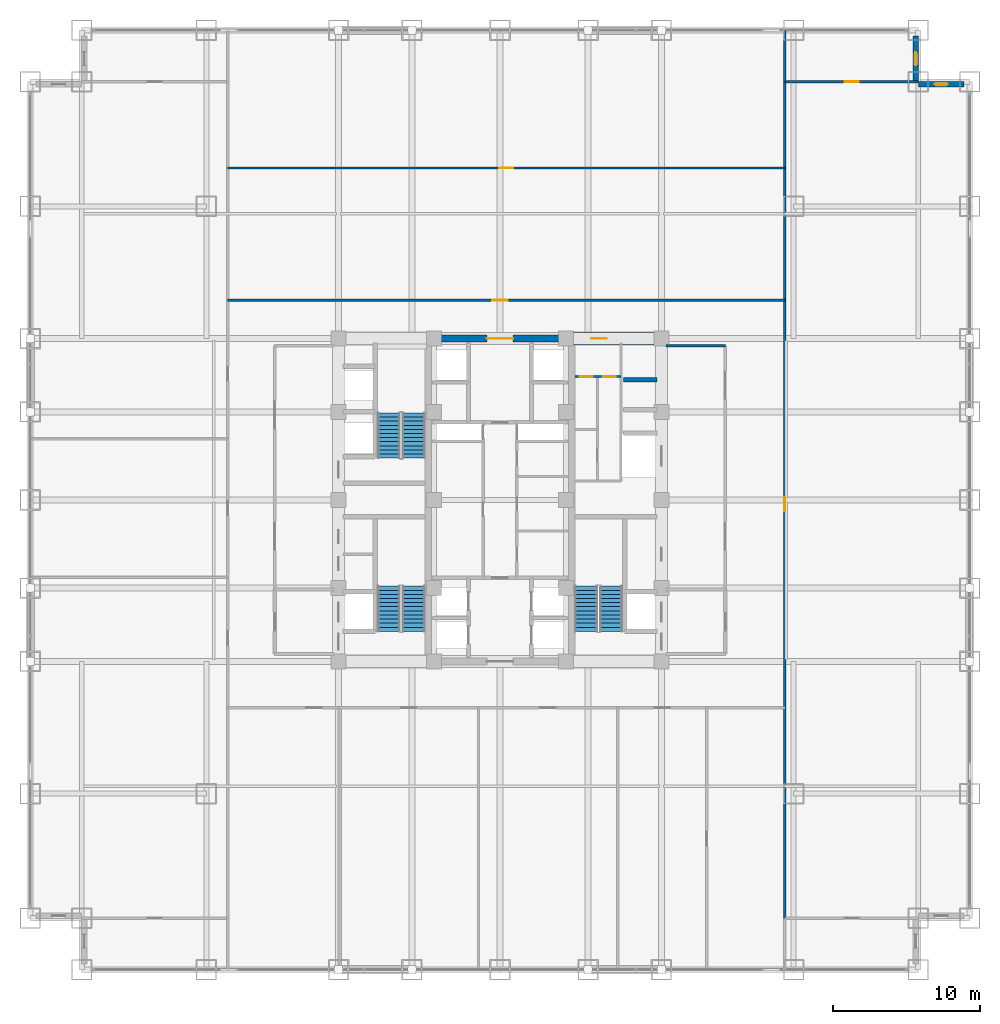
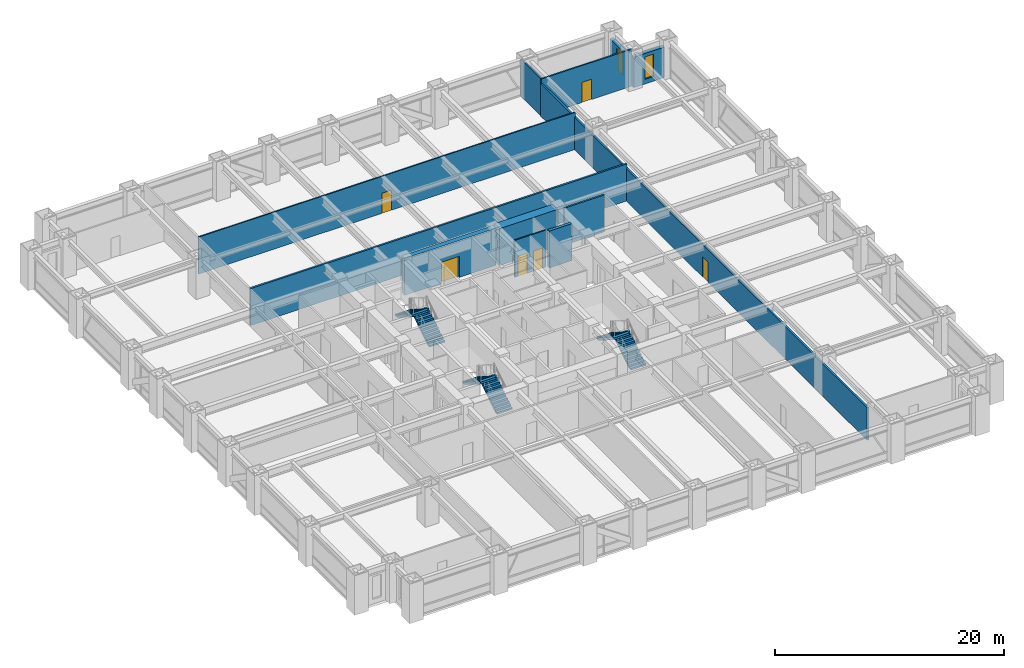
# One storey, part 26 of 27: 12 walls, 8 doors, 6 stair flights, 2 windows, 10 openings, 3 elements without a shape of their own.
"""IFC4 building model written with IfcOpenShell, lengths in metres."""

from ifc_helpers import new_model, si_unit, direction, frame, frame_2d, origin, place, context, subcontext, project, spatial, polyline, rectangle, outline, extrude, source, transform, mapped, material, layer, layer_set, type_object, element, fill, aggregate, save


model = new_model("IFC4")

# Units and contexts
model_context = context("Model", 3, precision=1e-05, world=origin(), true_north=direction((0.0, 1.0)))
body_context = subcontext(model_context, "Body", "Model", "MODEL_VIEW")
ifc_project = project(units=[si_unit("LENGTHUNIT", "METRE"), si_unit("AREAUNIT", "SQUARE_METRE"), si_unit("VOLUMEUNIT", "CUBIC_METRE"), si_unit("PLANEANGLEUNIT", "RADIAN"), si_unit("MASSUNIT", "GRAM", prefix="KILO")], contexts=[model_context])

# Site, building, storey
site_placement = place(None, origin())
site = spatial("IfcSite", under=ifc_project, at=site_placement, CompositionType="ELEMENT")
building_placement = place(site_placement, origin())
building = spatial("IfcBuilding", under=site, at=building_placement, Name="Khorayat Bourse Tower", CompositionType="ELEMENT")
storey_placement = place(building_placement, frame((0.0, 0.0, 45.199951171875)))
storey = spatial("IfcBuildingStorey", under=building, at=storey_placement, Name="L09", CompositionType="ELEMENT", Elevation=45.199951171875)

# Wall, opening, door
ifc_material_1 = material(Name="Concrete C72/90", Category="concrete")
ifc_layer_1 = layer(ifc_material_1, 0.89990234375)
ifc_layer_set_1 = layer_set([ifc_layer_1], Name="Concrete C72/90")
wall_type_1 = type_object("IfcWallType", Name="WAL-CORE-900", PredefinedType="SHEAR", material=ifc_layer_set_1)
shared_shape_1 = source(origin(), body_context, "Body", "SweptSolid", [
    extrude(rectangle(XDim=5.849853515625, YDim=0.89990234375, at=frame_2d((2.9248046875, 0.0))), origin(), (0.0, 0.0, 1.0), 3.93994140625),
])
wall_1_placement = place(storey_placement, frame((4.85009765625, 11.0, 0.0), z_axis=(0.0, 0.0, 1.0), x_axis=(1.0, 0.0, 0.0)))
wall_1 = element("IfcWall", 1, at=wall_1_placement, inside=storey, type_object=wall_type_1, Name="L09 Core Shear Wall PIER-EN", PredefinedType="SHEAR", context=body_context, shape_type="MappedRepresentation", body=[
    mapped(shared_shape_1, transform((0.0, 0.0, 0.0), scale=1.0)),
])
shared_shape_2 = source(origin(), body_context, "Body", "SweptSolid", [
    extrude(rectangle(XDim=1.050048828125, YDim=2.199951171875, at=frame_2d((0.52490234375, 1.10009765625))), frame((0.0, 0.4599609375, 0.0), z_axis=(0.0, -1.0, 0.0), x_axis=(1.0, 0.0, 0.0)), (0.0, 0.0, 1.0), 0.919921875),
])
opening_1_placement = place(wall_1_placement, frame((1.375, 0.0, 0.0)))
opening_1 = element("IfcOpeningElement", 2, at=opening_1_placement, cuts=wall_1, Name="Opening DI-04", PredefinedType="OPENING", context=body_context, shape_type="MappedRepresentation", body=[
    mapped(shared_shape_2, transform((0.0, 0.0, 0.0), scale=1.0)),
])
ifc_material_2 = material(Name="Fire-rated oak veneer suite entrance door")
door_type_1 = type_object("IfcDoorType", Name="DR-INT-SUITE-1050", OperationType="NOTDEFINED", PredefinedType="DOOR", material=ifc_material_2)
shared_shape_3 = source(origin(), body_context, "Body", "SweptSolid", [
    extrude(rectangle(XDim=1.050048828125, YDim=2.199951171875, at=frame_2d((0.52490234375, 1.10009765625))), frame((0.0, 0.02490234375, 0.0), z_axis=(0.0, -1.0, 0.0), x_axis=(1.0, 0.0, 0.0)), (0.0, 0.0, 1.0), 0.050048828125),
])
door_1_placement = place(opening_1_placement, origin())
door_1 = element("IfcDoor", 3, at=door_1_placement, inside=storey, type_object=door_type_1, Name="L09 Core Washroom Lobby Door", OperationType="SINGLE_SWING_LEFT", OverallHeight=2.199951171875, OverallWidth=1.050048828125, PredefinedType="DOOR", context=body_context, shape_type="MappedRepresentation", body=[
    mapped(shared_shape_3, transform((0.0, 0.0, 0.0), scale=1.0)),
])
fill(opening_1, door_1)

ifc_material_3 = material(Name="Concrete C52/65", Category="concrete")
ifc_layer_2 = layer(ifc_material_3, 0.5)
ifc_layer_set_2 = layer_set([ifc_layer_2], Name="Concrete C52/65")
wall_type_2 = type_object("IfcWallType", Name="WAL-CORE-500", PredefinedType="SHEAR", material=ifc_layer_set_2)
shared_shape_4 = source(origin(), body_context, "Body", "SweptSolid", [
    extrude(rectangle(XDim=9.2001953125, YDim=0.5, at=frame_2d((4.60009765625, 0.0))), origin(), (0.0, 0.0, 1.0), 3.93994140625),
])
wall_2_placement = place(storey_placement, frame((-4.60009765625, 11.0, 0.0), z_axis=(0.0, 0.0, 1.0), x_axis=(1.0, 0.0, 0.0)))
wall_2 = element("IfcWall", 4, at=wall_2_placement, inside=storey, type_object=wall_type_2, Name="L09 Core Shear Wall CORE-N", PredefinedType="SHEAR", context=body_context, shape_type="MappedRepresentation", body=[
    mapped(shared_shape_4, transform((0.0, 0.0, 0.0), scale=1.0)),
])
shared_shape_5 = source(origin(), body_context, "Body", "SweptSolid", [
    extrude(rectangle(XDim=1.800048828125, YDim=2.25, at=frame_2d((0.89990234375, 1.125))), frame((0.0, 0.260009765625, 0.0), z_axis=(0.0, -1.0, 0.0), x_axis=(1.0, 0.0, 0.0)), (0.0, 0.0, 1.0), 0.52001953125),
])
opening_2_placement = place(wall_2_placement, frame((3.699951171875, 0.0, 0.0)))
opening_2 = element("IfcOpeningElement", 5, at=opening_2_placement, cuts=wall_2, Name="Opening DI-03", PredefinedType="OPENING", context=body_context, shape_type="MappedRepresentation", body=[
    mapped(shared_shape_5, transform((0.0, 0.0, 0.0), scale=1.0)),
])
ifc_material_4 = material(Name="Fire-rated hardwood vision-panel double leaf", Category="wood")
door_type_2 = type_object("IfcDoorType", Name="DR-INT-CORR-1800", OperationType="NOTDEFINED", PredefinedType="DOOR", material=ifc_material_4)
shared_shape_6 = source(origin(), body_context, "Body", "SweptSolid", [
    extrude(rectangle(XDim=1.800048828125, YDim=2.25, at=frame_2d((0.89990234375, 1.125))), frame((0.0, 0.02490234375, 0.0), z_axis=(0.0, -1.0, 0.0), x_axis=(1.0, 0.0, 0.0)), (0.0, 0.0, 1.0), 0.050048828125),
])
door_2_placement = place(opening_2_placement, origin())
door_2 = element("IfcDoor", 6, at=door_2_placement, inside=storey, type_object=door_type_2, Name="L09 Mid-Rise Lift Lobby Door", OperationType="SINGLE_SWING_RIGHT", OverallHeight=2.25, OverallWidth=1.800048828125, PredefinedType="DOOR", context=body_context, shape_type="MappedRepresentation", body=[
    mapped(shared_shape_6, transform((0.0, 0.0, 0.0), scale=1.0)),
])
fill(opening_2, door_2)

# Wall, opening, window
ifc_material_5 = material(Name="Precast concrete C45/55", Category="concrete")
ifc_layer_3 = layer(ifc_material_5, 0.3798828125)
ifc_layer_set_3 = layer_set([ifc_layer_3], Name="Precast concrete C45/55")
wall_type_3 = type_object("IfcWallType", Name="WAL-EXT-STONE-380", PredefinedType="STANDARD", material=ifc_layer_set_3)
shared_shape_7 = source(origin(), body_context, "Body", "SweptSolid", [
    extrude(rectangle(XDim=3.1201171875, YDim=0.3798828125, at=frame_2d((1.56005859375, 0.0))), origin(), (0.0, 0.0, 1.0), 3.2451171875),
])
wall_3_placement = place(storey_placement, frame((28.5, 28.31005859375, 0.0), z_axis=(0.0, 0.0, 1.0), x_axis=(1.0, 0.0, 0.0)))
wall_3 = element("IfcWall", 7, at=wall_3_placement, inside=storey, type_object=wall_type_3, Name="L09 Re-Entrant Notch Limestone Wall NE-H", PredefinedType="STANDARD", context=body_context, shape_type="MappedRepresentation", body=[
    mapped(shared_shape_7, transform((0.0, 0.0, 0.0), scale=1.0)),
])
shared_shape_8 = source(origin(), body_context, "Body", "SweptSolid", [
    extrude(rectangle(XDim=0.89990234375, YDim=2.39990234375, at=frame_2d((0.449951171875, 1.199951171875))), frame((0.0, 0.199951171875, 0.0), z_axis=(0.0, -1.0, 0.0), x_axis=(1.0, 0.0, 0.0)), (0.0, 0.0, 1.0), 0.39990234375),
])
opening_3_placement = place(wall_3_placement, frame((1.110107421875, 0.0, 0.5)))
opening_3 = element("IfcOpeningElement", 8, at=opening_3_placement, cuts=wall_3, Name="Opening WN-03", PredefinedType="OPENING", context=body_context, shape_type="MappedRepresentation", body=[
    mapped(shared_shape_8, transform((0.0, 0.0, 0.0), scale=1.0)),
])
ifc_material_6 = material(Name="Deep-reveal solar-control double glazing", Category="glass")
window_type = type_object("IfcWindowType", Name="WIN-SLOT-900x2400", PartitioningType="SINGLE_PANEL", PredefinedType="WINDOW", material=ifc_material_6)
shared_shape_9 = source(origin(), body_context, "Body", "SweptSolid", [
    extrude(rectangle(XDim=0.89990234375, YDim=2.39990234375, at=frame_2d((0.449951171875, 1.199951171875))), frame((0.0, 0.030029296875, 0.0), z_axis=(0.0, -1.0, 0.0), x_axis=(1.0, 0.0, 0.0)), (0.0, 0.0, 1.0), 0.06005859375),
])
window_1_placement = place(opening_3_placement, origin())
window_1 = element("IfcWindow", 9, at=window_1_placement, inside=storey, type_object=window_type, Name="L09 Facade Window 1", OverallHeight=2.39990234375, OverallWidth=0.89990234375, PartitioningType="SINGLE_PANEL", PredefinedType="WINDOW", context=body_context, shape_type="MappedRepresentation", body=[
    mapped(shared_shape_9, transform((0.0, 0.0, 0.0), scale=1.0)),
])
fill(opening_3, window_1)

wall_4_placement = place(storey_placement, frame((28.31005859375, 28.5, 0.0), z_axis=(0.0, 0.0, 1.0), x_axis=(0.0, 1.0, 0.0)))
wall_4 = element("IfcWall", 10, at=wall_4_placement, inside=storey, type_object=wall_type_3, Name="L09 Re-Entrant Notch Limestone Wall NE-V", PredefinedType="STANDARD", context=body_context, shape_type="MappedRepresentation", body=[
    mapped(shared_shape_7, transform((0.0, 0.0, 0.0), scale=1.0)),
])
opening_4_placement = place(wall_4_placement, frame((1.110107421875, 0.0, 0.5)))
opening_4 = element("IfcOpeningElement", 11, at=opening_4_placement, cuts=wall_4, Name="Opening WN-03", PredefinedType="OPENING", context=body_context, shape_type="MappedRepresentation", body=[
    mapped(shared_shape_8, transform((0.0, 0.0, 0.0), scale=1.0)),
])
window_2_placement = place(opening_4_placement, origin())
window_2 = element("IfcWindow", 12, at=window_2_placement, inside=storey, type_object=window_type, Name="L09 Facade Window 1", OverallHeight=2.39990234375, OverallWidth=0.89990234375, PartitioningType="SINGLE_PANEL", PredefinedType="WINDOW", context=body_context, shape_type="MappedRepresentation", body=[
    mapped(shared_shape_9, transform((0.0, 0.0, 0.0), scale=1.0)),
])
fill(opening_4, window_2)

# Wall
ifc_material_7 = material(Name="Concrete C50/60", Category="concrete")
ifc_layer_4 = layer(ifc_material_7, 0.300048828125)
ifc_layer_set_4 = layer_set([ifc_layer_4], Name="Concrete C50/60")
wall_type_4 = type_object("IfcWallType", Name="WAL-SHAFT-300", PredefinedType="SHEAR", material=ifc_layer_set_4)
shared_shape_10 = source(origin(), body_context, "Body", "SweptSolid", [
    extrude(rectangle(XDim=2.300048828125, YDim=0.300048828125, at=frame_2d((1.14990234375, 0.0))), origin(), (0.0, 0.0, 1.0), 3.93994140625),
])
wall_5_placement = place(storey_placement, frame((8.39990234375, 8.199951171875, 0.0), z_axis=(0.0, 0.0, 1.0), x_axis=(1.0, 0.0, 0.0)))
element("IfcWall", 13, at=wall_5_placement, inside=storey, type_object=wall_type_4, Name="L09 Partition WAL-L09-EPIER-H34", PredefinedType="SHEAR", context=body_context, shape_type="MappedRepresentation", body=[
    mapped(shared_shape_10, transform((0.0, 0.0, 0.0), scale=1.0)),
])

# Wall, openings, doors
ifc_material_8 = material(Name="Moisture-resistant masonry partition", Category="masonry")
ifc_layer_5 = layer(ifc_material_8, 0.139892578125)
ifc_layer_set_5 = layer_set([ifc_layer_5], Name="Moisture-resistant masonry partition")
wall_type_5 = type_object("IfcWallType", Name="WAL-PART-WET-140", PredefinedType="PARTITIONING", material=ifc_layer_set_5)
shared_shape_11 = source(origin(), body_context, "Body", "SweptSolid", [
    extrude(rectangle(XDim=3.14990234375, YDim=0.139892578125, at=frame_2d((1.574951171875, 0.0))), origin(), (0.0, 0.0, 1.0), 3.93994140625),
])
wall_6_placement = place(storey_placement, frame((5.10009765625, 8.39990234375, 0.0), z_axis=(0.0, 0.0, 1.0), x_axis=(1.0, 0.0, 0.0)))
wall_6 = element("IfcWall", 14, at=wall_6_placement, inside=storey, type_object=wall_type_5, Name="L09 Partition WAL-L09-ECW-TOP", PredefinedType="PARTITIONING", context=body_context, shape_type="MappedRepresentation", body=[
    mapped(shared_shape_11, transform((0.0, 0.0, 0.0), scale=1.0)),
])
shared_shape_12 = source(origin(), body_context, "Body", "SweptSolid", [
    extrude(rectangle(XDim=0.89990234375, YDim=2.14990234375, at=frame_2d((0.449951171875, 1.074951171875))), frame((0.0, 0.079833984375, 0.0), z_axis=(0.0, -1.0, 0.0), x_axis=(1.0, 0.0, 0.0)), (0.0, 0.0, 1.0), 0.159912109375),
])
opening_5_placement = place(wall_6_placement, frame((0.330078125, 0.0, 0.0)))
opening_5 = element("IfcOpeningElement", 15, at=opening_5_placement, cuts=wall_6, Name="Opening DI-06", PredefinedType="OPENING", context=body_context, shape_type="MappedRepresentation", body=[
    mapped(shared_shape_12, transform((0.0, 0.0, 0.0), scale=1.0)),
])
opening_6_placement = place(wall_6_placement, frame((1.89990234375, 0.0, 0.0)))
opening_6 = element("IfcOpeningElement", 16, at=opening_6_placement, cuts=wall_6, Name="Opening DI-06", PredefinedType="OPENING", context=body_context, shape_type="MappedRepresentation", body=[
    mapped(shared_shape_12, transform((0.0, 0.0, 0.0), scale=1.0)),
])
ifc_material_9 = material(Name="Moisture-resistant laminate washroom door")
door_type_3 = type_object("IfcDoorType", Name="DR-INT-WC-900", OperationType="NOTDEFINED", PredefinedType="DOOR", material=ifc_material_9)
shared_shape_13 = source(origin(), body_context, "Body", "SweptSolid", [
    extrude(rectangle(XDim=0.89990234375, YDim=2.14990234375, at=frame_2d((0.449951171875, 1.074951171875))), frame((0.0, 0.02490234375, 0.0), z_axis=(0.0, -1.0, 0.0), x_axis=(1.0, 0.0, 0.0)), (0.0, 0.0, 1.0), 0.050048828125),
])
door_3_placement = place(opening_5_placement, origin())
door_3 = element("IfcDoor", 17, at=door_3_placement, inside=storey, type_object=door_type_3, Name="L09 Accessible WC Door", OperationType="SINGLE_SWING_LEFT", OverallHeight=2.14990234375, OverallWidth=0.89990234375, PredefinedType="DOOR", context=body_context, shape_type="MappedRepresentation", body=[
    mapped(shared_shape_13, transform((0.0, 0.0, 0.0), scale=1.0)),
])
fill(opening_5, door_3)
door_4_placement = place(opening_6_placement, origin())
door_4 = element("IfcDoor", 18, at=door_4_placement, inside=storey, type_object=door_type_3, Name="L09 Shared Washroom Door", OperationType="SINGLE_SWING_RIGHT", OverallHeight=2.14990234375, OverallWidth=0.89990234375, PredefinedType="DOOR", context=body_context, shape_type="MappedRepresentation", body=[
    mapped(shared_shape_13, transform((0.0, 0.0, 0.0), scale=1.0)),
])
fill(opening_6, door_4)

# Walls
ifc_material_10 = material(Name="Gypsum plasterboard acoustic stud wall")
ifc_layer_6 = layer(ifc_material_10, 0.179931640625)
ifc_layer_set_6 = layer_set([ifc_layer_6], Name="Gypsum plasterboard acoustic stud wall")
wall_type_6 = type_object("IfcWallType", Name="WAL-PART-CORR-180", PredefinedType="PARTITIONING", material=ifc_layer_set_6)
shared_shape_14 = source(origin(), body_context, "Body", "SweptSolid", [
    extrude(rectangle(XDim=4.050048828125, YDim=0.179931640625, at=frame_2d((2.02490234375, 0.0))), origin(), (0.0, 0.0, 1.0), 3.93994140625),
])
wall_7_placement = place(storey_placement, frame((11.300048828125, 10.5, 0.0), z_axis=(0.0, 0.0, 1.0), x_axis=(1.0, 0.0, 0.0)))
element("IfcWall", 19, at=wall_7_placement, inside=storey, type_object=wall_type_6, Name="L09 Partition WAL-L09-ELOB-N", PredefinedType="PARTITIONING", context=body_context, shape_type="MappedRepresentation", body=[
    mapped(shared_shape_14, transform((0.0, 0.0, 0.0), scale=1.0)),
])
ifc_material_11 = material(Name="Gypsum plasterboard twin-frame partition")
ifc_layer_7 = layer(ifc_material_11, 0.14990234375)
ifc_layer_set_7 = layer_set([ifc_layer_7], Name="Gypsum plasterboard twin-frame partition")
wall_type_7 = type_object("IfcWallType", Name="WAL-PART-SUITE-150", PredefinedType="PARTITIONING", material=ifc_layer_set_7)
shared_shape_15 = source(origin(), body_context, "Body", "SweptSolid", [
    extrude(rectangle(XDim=3.5, YDim=0.14990234375, at=frame_2d((1.75, 0.0))), origin(), (0.0, 0.0, 1.0), 3.93994140625),
])
wall_8_placement = place(storey_placement, frame((19.39990234375, 28.5, 0.0), z_axis=(0.0, 0.0, 1.0), x_axis=(0.0, 1.0, 0.0)))
element("IfcWall", 20, at=wall_8_placement, inside=storey, type_object=wall_type_7, Name="L09 Partition WAL-L09-NCE-END", PredefinedType="PARTITIONING", context=body_context, shape_type="MappedRepresentation", body=[
    mapped(shared_shape_15, transform((0.0, 0.0, 0.0), scale=1.0)),
])

# Wall, opening, door
shared_shape_16 = source(origin(), body_context, "Body", "SweptSolid", [
    extrude(rectangle(XDim=37.949951171875, YDim=0.179931640625, at=frame_2d((18.97509765625, 0.0))), origin(), (0.0, 0.0, 1.0), 3.93994140625),
])
wall_9_placement = place(storey_placement, frame((-18.550048828125, 13.60009765625, 0.0), z_axis=(0.0, 0.0, 1.0), x_axis=(1.0, 0.0, 0.0)))
wall_9 = element("IfcWall", 21, at=wall_9_placement, inside=storey, type_object=wall_type_6, Name="L09 Partition WAL-L09-NCORR", PredefinedType="PARTITIONING", context=body_context, shape_type="MappedRepresentation", body=[
    mapped(shared_shape_16, transform((0.0, 0.0, 0.0), scale=1.0)),
])
shared_shape_17 = source(origin(), body_context, "Body", "SweptSolid", [
    extrude(rectangle(XDim=1.050048828125, YDim=2.199951171875, at=frame_2d((0.52490234375, 1.10009765625))), frame((0.0, 0.099853515625, 0.0), z_axis=(0.0, -1.0, 0.0), x_axis=(1.0, 0.0, 0.0)), (0.0, 0.0, 1.0), 0.199951171875),
])
opening_7_placement = place(wall_9_placement, frame((18.02490234375, 0.0, 0.0)))
opening_7 = element("IfcOpeningElement", 22, at=opening_7_placement, cuts=wall_9, Name="Opening DI-04", PredefinedType="OPENING", context=body_context, shape_type="MappedRepresentation", body=[
    mapped(shared_shape_17, transform((0.0, 0.0, 0.0), scale=1.0)),
])
door_5_placement = place(opening_7_placement, origin())
door_5 = element("IfcDoor", 23, at=door_5_placement, inside=storey, type_object=door_type_1, Name="L09 Members Exchange Lounge N1 Door", OperationType="SINGLE_SWING_RIGHT", OverallHeight=2.199951171875, OverallWidth=1.050048828125, PredefinedType="DOOR", context=body_context, shape_type="MappedRepresentation", body=[
    mapped(shared_shape_3, transform((0.0, 0.0, 0.0), scale=1.0)),
])
fill(opening_7, door_5)

ifc_material_12 = material(Name="Gypsum plasterboard partition")
ifc_layer_8 = layer(ifc_material_12, 0.125)
ifc_layer_set_8 = layer_set([ifc_layer_8], Name="Gypsum plasterboard partition")
wall_type_8 = type_object("IfcWallType", Name="WAL-PART-ROOM-125", PredefinedType="PARTITIONING", material=ifc_layer_set_8)
shared_shape_18 = source(origin(), body_context, "Body", "SweptSolid", [
    extrude(rectangle(XDim=37.949951171875, YDim=0.125, at=frame_2d((18.97509765625, 0.0))), origin(), (0.0, 0.0, 1.0), 3.93994140625),
])
wall_10_placement = place(storey_placement, frame((-18.550048828125, 22.615966796875, 0.0), z_axis=(0.0, 0.0, 1.0), x_axis=(1.0, 0.0, 0.0)))
wall_10 = element("IfcWall", 24, at=wall_10_placement, inside=storey, type_object=wall_type_8, Name="L09 Partition WAL-L09-NDP-1", PredefinedType="PARTITIONING", context=body_context, shape_type="MappedRepresentation", body=[
    mapped(shared_shape_18, transform((0.0, 0.0, 0.0), scale=1.0)),
])
shared_shape_19 = source(origin(), body_context, "Body", "SweptSolid", [
    extrude(rectangle(XDim=0.949951171875, YDim=2.14990234375, at=frame_2d((0.47509765625, 1.074951171875))), frame((0.0, 0.072509765625, 0.0), z_axis=(0.0, -1.0, 0.0), x_axis=(1.0, 0.0, 0.0)), (0.0, 0.0, 1.0), 0.14501953125),
])
opening_8_placement = place(wall_10_placement, frame((18.5, 0.0, 0.0)))
opening_8 = element("IfcOpeningElement", 25, at=opening_8_placement, cuts=wall_10, Name="Opening DI-05", PredefinedType="OPENING", context=body_context, shape_type="MappedRepresentation", body=[
    mapped(shared_shape_19, transform((0.0, 0.0, 0.0), scale=1.0)),
])
ifc_material_13 = material(Name="Acoustic oak veneer office door")
door_type_4 = type_object("IfcDoorType", Name="DR-INT-OFFICE-950", OperationType="NOTDEFINED", PredefinedType="DOOR", material=ifc_material_13)
shared_shape_20 = source(origin(), body_context, "Body", "SweptSolid", [
    extrude(rectangle(XDim=0.949951171875, YDim=2.14990234375, at=frame_2d((0.47509765625, 1.074951171875))), frame((0.0, 0.02490234375, 0.0), z_axis=(0.0, -1.0, 0.0), x_axis=(1.0, 0.0, 0.0)), (0.0, 0.0, 1.0), 0.050048828125),
])
door_6_placement = place(opening_8_placement, origin())
door_6 = element("IfcDoor", 26, at=door_6_placement, inside=storey, type_object=door_type_4, Name="L09 Staff Tea Pantry N1B Door", OperationType="SINGLE_SWING_RIGHT", OverallHeight=2.14990234375, OverallWidth=0.949951171875, PredefinedType="DOOR", context=body_context, shape_type="MappedRepresentation", body=[
    mapped(shared_shape_20, transform((0.0, 0.0, 0.0), scale=1.0)),
])
fill(opening_8, door_6)

shared_shape_21 = source(origin(), body_context, "Body", "SweptSolid", [
    extrude(rectangle(XDim=57.0, YDim=0.179931640625, at=frame_2d((28.5, 0.0))), origin(), (0.0, 0.0, 1.0), 3.470947265625),
])
wall_11_placement = place(storey_placement, frame((19.39990234375, -28.5, 0.0), z_axis=(0.0, 0.0, 1.0), x_axis=(0.0, 1.0, 0.0)))
wall_11 = element("IfcWall", 27, at=wall_11_placement, inside=storey, type_object=wall_type_6, Name="L09 Partition WAL-L09-ECORR", PredefinedType="PARTITIONING", context=body_context, shape_type="MappedRepresentation", body=[
    mapped(shared_shape_21, transform((0.0, 0.0, 0.0), scale=1.0)),
])
shared_shape_22 = source(origin(), body_context, "Body", "SweptSolid", [
    extrude(rectangle(XDim=0.949951171875, YDim=2.14990234375, at=frame_2d((0.47509765625, 1.074951171875))), frame((0.0, 0.099853515625, 0.0), z_axis=(0.0, -1.0, 0.0), x_axis=(1.0, 0.0, 0.0)), (0.0, 0.0, 1.0), 0.199951171875),
])
opening_9_placement = place(wall_11_placement, frame((27.75, 0.0, 0.0)))
opening_9 = element("IfcOpeningElement", 28, at=opening_9_placement, cuts=wall_11, Name="Opening DI-05", PredefinedType="OPENING", context=body_context, shape_type="MappedRepresentation", body=[
    mapped(shared_shape_22, transform((0.0, 0.0, 0.0), scale=1.0)),
])
door_7_placement = place(opening_9_placement, origin())
door_7 = element("IfcDoor", 29, at=door_7_placement, inside=storey, type_object=door_type_4, Name="L09 Executive Boardroom E1 Door", OperationType="SINGLE_SWING_RIGHT", OverallHeight=2.14990234375, OverallWidth=0.949951171875, PredefinedType="DOOR", context=body_context, shape_type="MappedRepresentation", body=[
    mapped(shared_shape_20, transform((0.0, 0.0, 0.0), scale=1.0)),
])
fill(opening_9, door_7)

shared_shape_23 = source(origin(), body_context, "Body", "SweptSolid", [
    extrude(rectangle(XDim=9.10009765625, YDim=0.14990234375, at=frame_2d((4.550048828125, 0.0))), origin(), (0.0, 0.0, 1.0), 3.93994140625),
])
wall_12_placement = place(storey_placement, frame((19.39990234375, 28.5, 0.0), z_axis=(0.0, 0.0, 1.0), x_axis=(1.0, 0.0, 0.0)))
wall_12 = element("IfcWall", 30, at=wall_12_placement, inside=storey, type_object=wall_type_7, Name="L09 Partition WAL-L09-CNE", PredefinedType="PARTITIONING", context=body_context, shape_type="MappedRepresentation", body=[
    mapped(shared_shape_23, transform((0.0, 0.0, 0.0), scale=1.0)),
])
shared_shape_24 = source(origin(), body_context, "Body", "SweptSolid", [
    extrude(rectangle(XDim=0.949951171875, YDim=2.14990234375, at=frame_2d((0.47509765625, 1.074951171875))), frame((0.0, 0.0849609375, 0.0), z_axis=(0.0, -1.0, 0.0), x_axis=(1.0, 0.0, 0.0)), (0.0, 0.0, 1.0), 0.169921875),
])
opening_10_placement = place(wall_12_placement, frame((4.074951171875, 0.0, 0.0)))
opening_10 = element("IfcOpeningElement", 31, at=opening_10_placement, cuts=wall_12, Name="Opening DI-05", PredefinedType="OPENING", context=body_context, shape_type="MappedRepresentation", body=[
    mapped(shared_shape_24, transform((0.0, 0.0, 0.0), scale=1.0)),
])
door_8_placement = place(opening_10_placement, origin())
door_8 = element("IfcDoor", 32, at=door_8_placement, inside=storey, type_object=door_type_4, Name="L09 North-East Corner Lounge Door", OperationType="SINGLE_SWING_LEFT", OverallHeight=2.14990234375, OverallWidth=0.949951171875, PredefinedType="DOOR", context=body_context, shape_type="MappedRepresentation", body=[
    mapped(shared_shape_20, transform((0.0, 0.0, 0.0), scale=1.0)),
])
fill(opening_10, door_8)

# Stair, stair flights
ifc_material_14 = material(Name="Concrete C40/50", Category="concrete")
stair_type = type_object("IfcStairType", Name="STR-CORE-1550", PredefinedType="HALF_TURN_STAIR", material=ifc_material_14)
stair_1_placement = place(storey_placement, origin())
stair_1 = element("IfcStair", 33, at=stair_1_placement, inside=storey, type_object=stair_type, Name="L09 Exit Stair ST-1", PredefinedType="HALF_TURN_STAIR")
stair_flight_type = type_object("IfcStairFlightType", Name="FLT-CORE-1550", PredefinedType="STRAIGHT", material=ifc_material_14)
shared_shape_25 = source(origin(), body_context, "Body", "SweptSolid", [
    extrude(outline(polyline([(0.0, 0.0), (0.0, 0.175048828125), (0.280029296875, 0.175048828125), (0.280029296875, 0.35009765625), (0.56005859375, 0.35009765625), (0.56005859375, 0.52490234375), (0.840087890625, 0.52490234375), (0.840087890625, 0.699951171875), (1.1201171875, 0.699951171875), (1.1201171875, 0.875), (1.39990234375, 0.875), (1.39990234375, 1.050048828125), (1.679931640625, 1.050048828125), (1.679931640625, 1.22509765625), (1.9599609375, 1.22509765625), (1.9599609375, 1.39990234375), (2.239990234375, 1.39990234375), (2.239990234375, 1.574951171875), (2.52001953125, 1.574951171875), (2.52001953125, 1.75), (2.800048828125, 1.75), (2.800048828125, 1.925048828125), (3.080078125, 1.925048828125), (3.080078125, 2.10009765625), (3.080078125, 1.712890625), (0.339599609375, 0.0), (0.0, 0.0)])), frame((0.0, 0.77490234375, 0.0), z_axis=(0.0, -1.0, 0.0), x_axis=(1.0, 0.0, 0.0)), (0.0, 0.0, 1.0), 1.550048828125),
])
stair_flight_1_placement = place(storey_placement, frame((-5.875, -8.949951171875, 0.0), z_axis=(0.0, 0.0, 1.0), x_axis=(0.0, 1.0, 0.0)))
stair_flight_1 = element("IfcStairFlight", 34, at=stair_flight_1_placement, type_object=stair_flight_type, Name="ST-1 flight 1", NumberOfRisers=12, NumberOfTreads=11, PredefinedType="STRAIGHT", RiserHeight=0.175, TreadLength=0.28, context=body_context, shape_type="MappedRepresentation", body=[
    mapped(shared_shape_25, transform((0.0, 0.0, 0.0), scale=1.0)),
])
stair_flight_2_placement = place(storey_placement, frame((-7.574951171875, -5.8701171875, 2.10009765625), z_axis=(0.0, 0.0, 1.0), x_axis=(0.0, -1.0, 0.0)))
stair_flight_2 = element("IfcStairFlight", 35, at=stair_flight_2_placement, type_object=stair_flight_type, Name="ST-1 flight 2", NumberOfRisers=12, NumberOfTreads=11, PredefinedType="STRAIGHT", RiserHeight=0.175, TreadLength=0.28, context=body_context, shape_type="MappedRepresentation", body=[
    mapped(shared_shape_25, transform((0.0, 0.0, 0.0), scale=1.0)),
])
aggregate(stair_1, [stair_flight_1, stair_flight_2])

stair_2_placement = place(storey_placement, origin())
stair_2 = element("IfcStair", 36, at=stair_2_placement, inside=storey, type_object=stair_type, Name="L09 Exit Stair ST-2", PredefinedType="HALF_TURN_STAIR")
stair_flight_3_placement = place(storey_placement, frame((-5.875, 2.85009765625, 0.0), z_axis=(0.0, 0.0, 1.0), x_axis=(0.0, 1.0, 0.0)))
stair_flight_3 = element("IfcStairFlight", 37, at=stair_flight_3_placement, type_object=stair_flight_type, Name="ST-2 flight 1", NumberOfRisers=12, NumberOfTreads=11, PredefinedType="STRAIGHT", RiserHeight=0.175, TreadLength=0.28, context=body_context, shape_type="MappedRepresentation", body=[
    mapped(shared_shape_25, transform((0.0, 0.0, 0.0), scale=1.0)),
])
stair_flight_4_placement = place(storey_placement, frame((-7.574951171875, 5.929931640625, 2.10009765625), z_axis=(0.0, 0.0, 1.0), x_axis=(0.0, -1.0, 0.0)))
stair_flight_4 = element("IfcStairFlight", 38, at=stair_flight_4_placement, type_object=stair_flight_type, Name="ST-2 flight 2", NumberOfRisers=12, NumberOfTreads=11, PredefinedType="STRAIGHT", RiserHeight=0.175, TreadLength=0.28, context=body_context, shape_type="MappedRepresentation", body=[
    mapped(shared_shape_25, transform((0.0, 0.0, 0.0), scale=1.0)),
])
aggregate(stair_2, [stair_flight_3, stair_flight_4])

stair_3_placement = place(storey_placement, origin())
stair_3 = element("IfcStair", 39, at=stair_3_placement, inside=storey, type_object=stair_type, Name="L09 Exit Stair ST-3", PredefinedType="HALF_TURN_STAIR")
stair_flight_5_placement = place(storey_placement, frame((7.574951171875, -8.949951171875, 0.0), z_axis=(0.0, 0.0, 1.0), x_axis=(0.0, 1.0, 0.0)))
stair_flight_5 = element("IfcStairFlight", 40, at=stair_flight_5_placement, type_object=stair_flight_type, Name="ST-3 flight 1", NumberOfRisers=12, NumberOfTreads=11, PredefinedType="STRAIGHT", RiserHeight=0.175, TreadLength=0.28, context=body_context, shape_type="MappedRepresentation", body=[
    mapped(shared_shape_25, transform((0.0, 0.0, 0.0), scale=1.0)),
])
stair_flight_6_placement = place(storey_placement, frame((5.875, -5.8701171875, 2.10009765625), z_axis=(0.0, 0.0, 1.0), x_axis=(0.0, -1.0, 0.0)))
stair_flight_6 = element("IfcStairFlight", 41, at=stair_flight_6_placement, type_object=stair_flight_type, Name="ST-3 flight 2", NumberOfRisers=12, NumberOfTreads=11, PredefinedType="STRAIGHT", RiserHeight=0.175, TreadLength=0.28, context=body_context, shape_type="MappedRepresentation", body=[
    mapped(shared_shape_25, transform((0.0, 0.0, 0.0), scale=1.0)),
])
aggregate(stair_3, [stair_flight_5, stair_flight_6])

save(model, "model.ifc")
